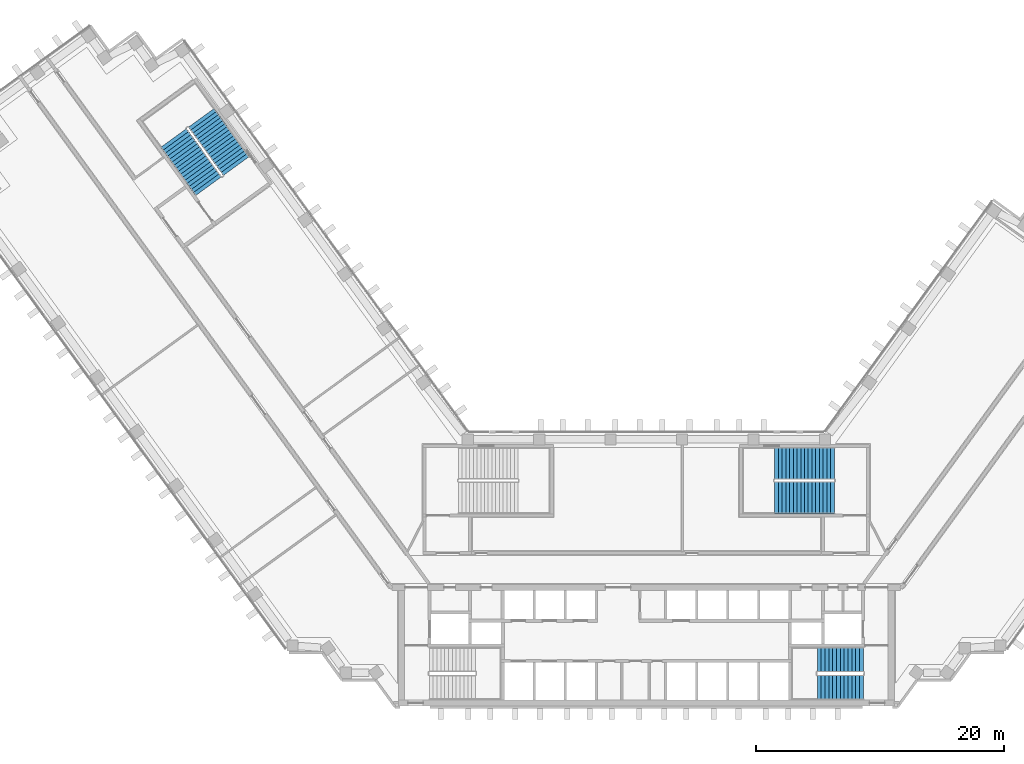
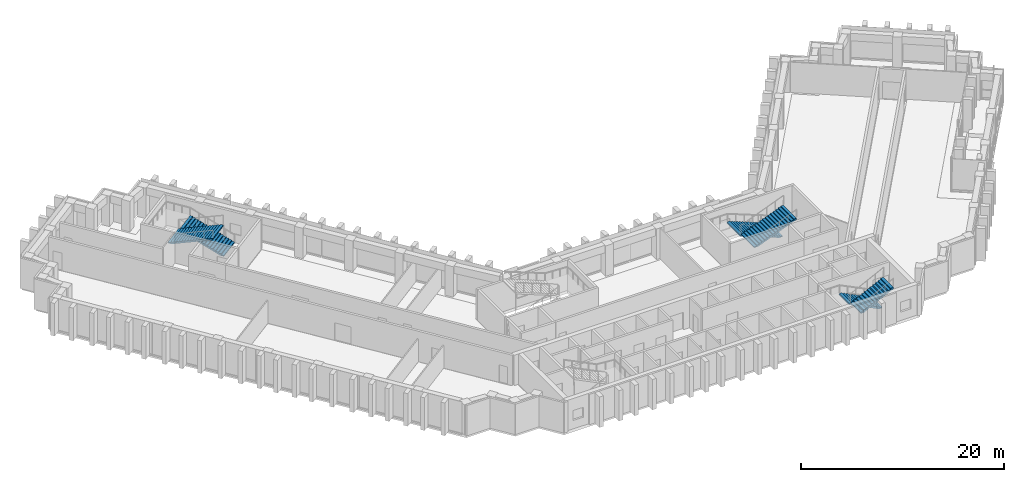
# One storey, part 11 of 14: 6 stair flights, 3 elements without a shape of their own.
"""IFC4 building model written with IfcOpenShell, lengths in metres."""

from ifc_helpers import new_model, si_unit, direction, frame, origin, place, context, subcontext, project, spatial, polyline, outline, extrude, material, type_object, element, aggregate, save


model = new_model("IFC4")

# Units and contexts
model_context = context("Model", 3, precision=1e-05, world=origin(), true_north=direction((0.0, 1.0)))
body_context = subcontext(model_context, "Body", "Model", "MODEL_VIEW")
ifc_project = project(units=[si_unit("LENGTHUNIT", "METRE"), si_unit("AREAUNIT", "SQUARE_METRE"), si_unit("VOLUMEUNIT", "CUBIC_METRE"), si_unit("PLANEANGLEUNIT", "RADIAN"), si_unit("MASSUNIT", "GRAM", prefix="KILO")], contexts=[model_context])

# Site, building, storey
site_placement = place(None, origin())
site = spatial("IfcSite", under=ifc_project, at=site_placement, CompositionType="ELEMENT")
building_placement = place(site_placement, origin())
building = spatial("IfcBuilding", under=site, at=building_placement, Name="Quipu Civic Tower", CompositionType="ELEMENT")
storey_placement = place(building_placement, frame((0.0, 0.0, 93.0)))
storey = spatial("IfcBuildingStorey", under=building, at=storey_placement, Name="L21", CompositionType="ELEMENT", Elevation=93.0)

# Stair, stair flights
ifc_material_1 = material(Name="Concrete C40/50", Category="concrete")
stair_type_1 = type_object("IfcStairType", Name="Half turn stair 2000", PredefinedType="HALF_TURN_STAIR", material=ifc_material_1)
stair_1_placement = place(storey_placement, origin())
stair_1 = element("IfcStair", 1, at=stair_1_placement, inside=storey, type_object=stair_type_1, Name="Exit stair 2", PredefinedType="HALF_TURN_STAIR")
ifc_material_2 = material(Name="Concrete C40/50", Category="concrete")
stair_flight_type_1 = type_object("IfcStairFlightType", Name="Stair flight 2000", PredefinedType="STRAIGHT", material=ifc_material_2)
stair_flight_1_placement = place(storey_placement, frame((17.5, -7.25, 0.0), z_axis=(0.0, 0.0, 1.0), x_axis=(-1.0, 0.0, 0.0)))
stair_flight_1 = element("IfcStairFlight", 2, at=stair_flight_1_placement, type_object=stair_flight_type_1, Name="ST-2 flight 1", NumberOfRisers=13, NumberOfTreads=12, PredefinedType="STRAIGHT", RiserHeight=0.153846154, TreadLength=0.31, context=body_context, shape_type="SweptSolid", body=[
    extrude(outline(polyline([(0.0, 0.0), (0.0, 0.15380859375), (0.31005859375, 0.15380859375), (0.31005859375, 0.3076171875), (0.6201171875, 0.3076171875), (0.6201171875, 0.46142578125), (0.929931640625, 0.46142578125), (0.929931640625, 0.615478515625), (1.239990234375, 0.615478515625), (1.239990234375, 0.769287109375), (1.550048828125, 0.769287109375), (1.550048828125, 0.923095703125), (1.860107421875, 0.923095703125), (1.860107421875, 1.076904296875), (2.169921875, 1.076904296875), (2.169921875, 1.230712890625), (2.47998046875, 1.230712890625), (2.47998046875, 1.384521484375), (2.7900390625, 1.384521484375), (2.7900390625, 1.53857421875), (3.10009765625, 1.53857421875), (3.10009765625, 1.6923828125), (3.409912109375, 1.6923828125), (3.409912109375, 1.84619140625), (3.719970703125, 1.84619140625), (3.719970703125, 2.0), (3.719970703125, 1.6787109375), (0.337158203125, 0.0), (0.0, 0.0)])), frame((0.0, 1.0, 0.0), z_axis=(0.0, -1.0, 0.0), x_axis=(1.0, 0.0, 0.0)), (0.0, 0.0, 1.0), 2.0),
])
stair_flight_2_placement = place(storey_placement, frame((13.780029296875, -9.5, 2.0), z_axis=(0.0, 0.0, 1.0), x_axis=(1.0, 0.0, 0.0)))
stair_flight_2 = element("IfcStairFlight", 3, at=stair_flight_2_placement, type_object=stair_flight_type_1, Name="ST-2 flight 2", NumberOfRisers=13, NumberOfTreads=12, PredefinedType="STRAIGHT", RiserHeight=0.153846154, TreadLength=0.31, context=body_context, shape_type="SweptSolid", body=[
    extrude(outline(polyline([(0.0, 0.0), (0.0, 0.15380859375), (0.31005859375, 0.15380859375), (0.31005859375, 0.3076171875), (0.6201171875, 0.3076171875), (0.6201171875, 0.46142578125), (0.929931640625, 0.46142578125), (0.929931640625, 0.615478515625), (1.239990234375, 0.615478515625), (1.239990234375, 0.769287109375), (1.550048828125, 0.769287109375), (1.550048828125, 0.923095703125), (1.860107421875, 0.923095703125), (1.860107421875, 1.076904296875), (2.169921875, 1.076904296875), (2.169921875, 1.230712890625), (2.47998046875, 1.230712890625), (2.47998046875, 1.384521484375), (2.7900390625, 1.384521484375), (2.7900390625, 1.53857421875), (3.10009765625, 1.53857421875), (3.10009765625, 1.6923828125), (3.409912109375, 1.6923828125), (3.409912109375, 1.84619140625), (3.719970703125, 1.84619140625), (3.719970703125, 2.0), (3.719970703125, 1.6787109375), (0.337158203125, 0.0), (0.0, 0.0)])), frame((0.0, 1.0, 0.0), z_axis=(0.0, -1.0, 0.0), x_axis=(1.0, 0.0, 0.0)), (0.0, 0.0, 1.0), 2.0),
])
aggregate(stair_1, [stair_flight_1, stair_flight_2])

ifc_material_3 = material(Name="Concrete C40/50", Category="concrete")
stair_type_2 = type_object("IfcStairType", Name="Half turn stair 2600", PredefinedType="HALF_TURN_STAIR", material=ifc_material_3)
stair_2_placement = place(storey_placement, origin())
stair_2 = element("IfcStair", 4, at=stair_2_placement, inside=storey, type_object=stair_type_2, Name="Exit stair 4", PredefinedType="HALF_TURN_STAIR")
ifc_material_4 = material(Name="Concrete C40/50", Category="concrete")
stair_flight_type_2 = type_object("IfcStairFlightType", Name="Stair flight 2600", PredefinedType="STRAIGHT", material=ifc_material_4)
stair_flight_3_placement = place(storey_placement, frame((15.14990234375, 8.550048828125, 0.0), z_axis=(0.0, 0.0, 1.0), x_axis=(-1.0, 0.0, 0.0)))
stair_flight_3 = element("IfcStairFlight", 5, at=stair_flight_3_placement, type_object=stair_flight_type_2, Name="ST-4 flight 1", NumberOfRisers=17, NumberOfTreads=16, PredefinedType="STRAIGHT", RiserHeight=0.117647059, TreadLength=0.3, context=body_context, shape_type="SweptSolid", body=[
    extrude(outline(polyline([(0.0, 0.0), (0.0, 0.11767578125), (0.300048828125, 0.11767578125), (0.300048828125, 0.2353515625), (0.60009765625, 0.2353515625), (0.60009765625, 0.35302734375), (0.89990234375, 0.35302734375), (0.89990234375, 0.470703125), (1.199951171875, 0.470703125), (1.199951171875, 0.588134765625), (1.5, 0.588134765625), (1.5, 0.705810546875), (1.800048828125, 0.705810546875), (1.800048828125, 0.823486328125), (2.10009765625, 0.823486328125), (2.10009765625, 0.941162109375), (2.39990234375, 0.941162109375), (2.39990234375, 1.058837890625), (2.699951171875, 1.058837890625), (2.699951171875, 1.176513671875), (3.0, 1.176513671875), (3.0, 1.294189453125), (3.300048828125, 1.294189453125), (3.300048828125, 1.411865234375), (3.60009765625, 1.411865234375), (3.60009765625, 1.529296875), (3.89990234375, 1.529296875), (3.89990234375, 1.64697265625), (4.199951171875, 1.64697265625), (4.199951171875, 1.7646484375), (4.5, 1.7646484375), (4.5, 1.88232421875), (4.800048828125, 1.88232421875), (4.800048828125, 2.0), (4.800048828125, 1.721435546875), (0.41064453125, 0.0), (0.0, 0.0)])), frame((0.0, 1.300048828125, 0.0), z_axis=(0.0, -1.0, 0.0), x_axis=(1.0, 0.0, 0.0)), (0.0, 0.0, 1.0), 2.60009765625),
])
stair_flight_4_placement = place(storey_placement, frame((10.35009765625, 5.800048828125, 2.0), z_axis=(0.0, 0.0, 1.0), x_axis=(1.0, 0.0, 0.0)))
stair_flight_4 = element("IfcStairFlight", 6, at=stair_flight_4_placement, type_object=stair_flight_type_2, Name="ST-4 flight 2", NumberOfRisers=17, NumberOfTreads=16, PredefinedType="STRAIGHT", RiserHeight=0.117647059, TreadLength=0.3, context=body_context, shape_type="SweptSolid", body=[
    extrude(outline(polyline([(0.0, 0.0), (0.0, 0.11767578125), (0.300048828125, 0.11767578125), (0.300048828125, 0.2353515625), (0.60009765625, 0.2353515625), (0.60009765625, 0.35302734375), (0.89990234375, 0.35302734375), (0.89990234375, 0.470703125), (1.199951171875, 0.470703125), (1.199951171875, 0.588134765625), (1.5, 0.588134765625), (1.5, 0.705810546875), (1.800048828125, 0.705810546875), (1.800048828125, 0.823486328125), (2.10009765625, 0.823486328125), (2.10009765625, 0.941162109375), (2.39990234375, 0.941162109375), (2.39990234375, 1.058837890625), (2.699951171875, 1.058837890625), (2.699951171875, 1.176513671875), (3.0, 1.176513671875), (3.0, 1.294189453125), (3.300048828125, 1.294189453125), (3.300048828125, 1.411865234375), (3.60009765625, 1.411865234375), (3.60009765625, 1.529296875), (3.89990234375, 1.529296875), (3.89990234375, 1.64697265625), (4.199951171875, 1.64697265625), (4.199951171875, 1.7646484375), (4.5, 1.7646484375), (4.5, 1.88232421875), (4.800048828125, 1.88232421875), (4.800048828125, 2.0), (4.800048828125, 1.721435546875), (0.41064453125, 0.0), (0.0, 0.0)])), frame((0.0, 1.300048828125, 0.0), z_axis=(0.0, -1.0, 0.0), x_axis=(1.0, 0.0, 0.0)), (0.0, 0.0, 1.0), 2.60009765625),
])
aggregate(stair_2, [stair_flight_3, stair_flight_4])

stair_3_placement = place(storey_placement, origin())
stair_3 = element("IfcStair", 7, at=stair_3_placement, inside=storey, type_object=stair_type_2, Name="Exit stair 6", PredefinedType="HALF_TURN_STAIR")
stair_flight_5_placement = place(storey_placement, frame((-33.067626953125, 32.5322265625, 0.0), z_axis=(0.0, 0.0, 1.0), x_axis=(-0.587785252292, 0.809016994375, 0.0)))
stair_flight_5 = element("IfcStairFlight", 8, at=stair_flight_5_placement, type_object=stair_flight_type_2, Name="ST-6 flight 1", NumberOfRisers=17, NumberOfTreads=16, PredefinedType="STRAIGHT", RiserHeight=0.117647059, TreadLength=0.3, context=body_context, shape_type="SweptSolid", body=[
    extrude(outline(polyline([(0.0, 0.0), (0.0, 0.11767578125), (0.300048828125, 0.11767578125), (0.300048828125, 0.2353515625), (0.60009765625, 0.2353515625), (0.60009765625, 0.35302734375), (0.89990234375, 0.35302734375), (0.89990234375, 0.470703125), (1.199951171875, 0.470703125), (1.199951171875, 0.588134765625), (1.5, 0.588134765625), (1.5, 0.705810546875), (1.800048828125, 0.705810546875), (1.800048828125, 0.823486328125), (2.10009765625, 0.823486328125), (2.10009765625, 0.941162109375), (2.39990234375, 0.941162109375), (2.39990234375, 1.058837890625), (2.699951171875, 1.058837890625), (2.699951171875, 1.176513671875), (3.0, 1.176513671875), (3.0, 1.294189453125), (3.300048828125, 1.294189453125), (3.300048828125, 1.411865234375), (3.60009765625, 1.411865234375), (3.60009765625, 1.529296875), (3.89990234375, 1.529296875), (3.89990234375, 1.64697265625), (4.199951171875, 1.64697265625), (4.199951171875, 1.7646484375), (4.5, 1.7646484375), (4.5, 1.88232421875), (4.800048828125, 1.88232421875), (4.800048828125, 2.0), (4.800048828125, 1.721435546875), (0.41064453125, 0.0), (0.0, 0.0)])), frame((0.0, 1.300048828125, 0.0), z_axis=(0.0, -1.0, 0.0), x_axis=(1.0, 0.0, 0.0)), (0.0, 0.0, 1.0), 2.60009765625),
])
stair_flight_6_placement = place(storey_placement, frame((-38.11376953125, 34.799072265625, 2.0), z_axis=(0.0, 0.0, 1.0), x_axis=(0.587785252292, -0.809016994375, 0.0)))
stair_flight_6 = element("IfcStairFlight", 9, at=stair_flight_6_placement, type_object=stair_flight_type_2, Name="ST-6 flight 2", NumberOfRisers=17, NumberOfTreads=16, PredefinedType="STRAIGHT", RiserHeight=0.117647059, TreadLength=0.3, context=body_context, shape_type="SweptSolid", body=[
    extrude(outline(polyline([(0.0, 0.0), (0.0, 0.11767578125), (0.300048828125, 0.11767578125), (0.300048828125, 0.2353515625), (0.60009765625, 0.2353515625), (0.60009765625, 0.35302734375), (0.89990234375, 0.35302734375), (0.89990234375, 0.470703125), (1.199951171875, 0.470703125), (1.199951171875, 0.588134765625), (1.5, 0.588134765625), (1.5, 0.705810546875), (1.800048828125, 0.705810546875), (1.800048828125, 0.823486328125), (2.10009765625, 0.823486328125), (2.10009765625, 0.941162109375), (2.39990234375, 0.941162109375), (2.39990234375, 1.058837890625), (2.699951171875, 1.058837890625), (2.699951171875, 1.176513671875), (3.0, 1.176513671875), (3.0, 1.294189453125), (3.300048828125, 1.294189453125), (3.300048828125, 1.411865234375), (3.60009765625, 1.411865234375), (3.60009765625, 1.529296875), (3.89990234375, 1.529296875), (3.89990234375, 1.64697265625), (4.199951171875, 1.64697265625), (4.199951171875, 1.7646484375), (4.5, 1.7646484375), (4.5, 1.88232421875), (4.800048828125, 1.88232421875), (4.800048828125, 2.0), (4.800048828125, 1.721435546875), (0.41064453125, 0.0), (0.0, 0.0)])), frame((0.0, 1.300048828125, 0.0), z_axis=(0.0, -1.0, 0.0), x_axis=(1.0, 0.0, 0.0)), (0.0, 0.0, 1.0), 2.60009765625),
])
aggregate(stair_3, [stair_flight_5, stair_flight_6])

save(model, "model.ifc")
